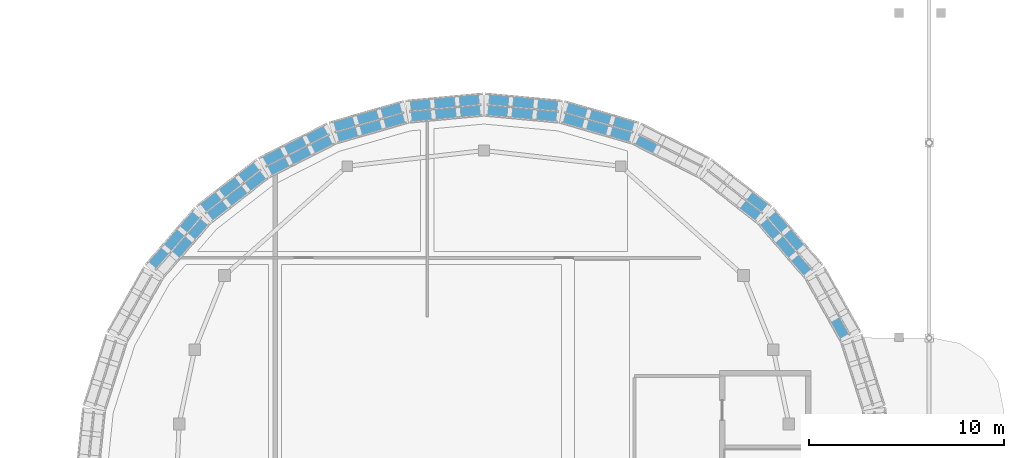
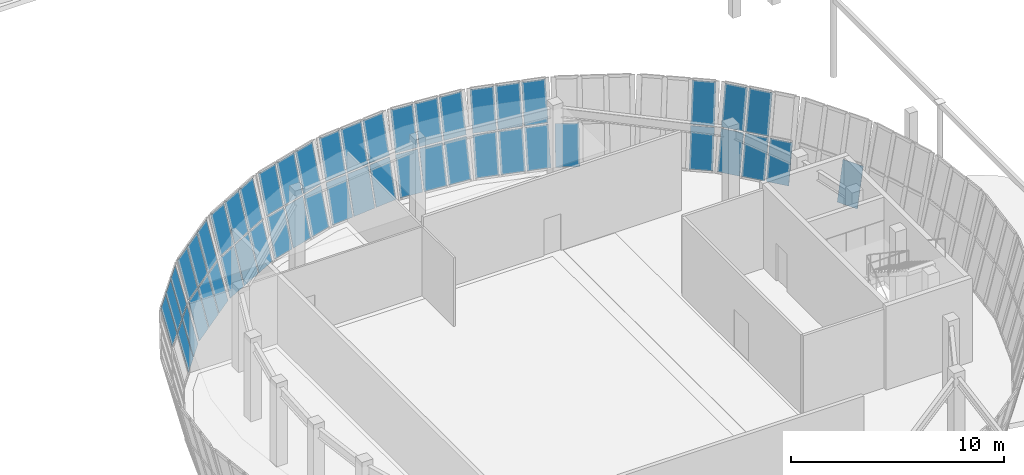
# One storey, part 69 of 120: 50 plates, 11 elements without a shape of their own.
"""IFC4 building model written with IfcOpenShell, lengths in metres."""

from ifc_helpers import new_model, si_unit, direction, frame, origin, place, context, subcontext, project, spatial, polyline, outline, extrude, material, layer, layer_set, type_object, element, aggregate, save


model = new_model("IFC4")

# Units and contexts
model_context = context("Model", 3, precision=1e-05, world=origin(), true_north=direction((0.0, 1.0)))
body_context = subcontext(model_context, "Body", "Model", "MODEL_VIEW")
ifc_project = project(units=[si_unit("LENGTHUNIT", "METRE"), si_unit("AREAUNIT", "SQUARE_METRE"), si_unit("VOLUMEUNIT", "CUBIC_METRE"), si_unit("PLANEANGLEUNIT", "RADIAN"), si_unit("MASSUNIT", "GRAM", prefix="KILO")], contexts=[model_context])

# Site, building, storey
site_placement = place(None, origin())
site = spatial("IfcSite", under=ifc_project, at=site_placement, CompositionType="ELEMENT")
building_placement = place(site_placement, origin())
building = spatial("IfcBuilding", under=site, at=building_placement, Name="Corveleigh Park Community Centre", CompositionType="ELEMENT")
storey_placement = place(building_placement, origin())
storey = spatial("IfcBuildingStorey", under=building, at=storey_placement, Name="L00", CompositionType="ELEMENT", Elevation=0.0)

# Curtain wall, plate
ifc_material_1 = material(Name="Anodised aluminium 6063-T6", Category="aluminium")
curtain_wall_type = type_object("IfcCurtainWallType", Name="CW-SYS-V1-L00", PredefinedType="NOTDEFINED", material=ifc_material_1)
curtain_wall_1_placement = place(storey_placement, origin())
curtain_wall_1 = element("IfcCurtainWall", 1, at=curtain_wall_1_placement, inside=storey, type_object=curtain_wall_type, Name="Main Hall Flared Drum CW 3", PredefinedType="NOTDEFINED")
ifc_material_2 = material(Name="Low-E double glazing", Category="glass")
ifc_layer = layer(ifc_material_2, 0.028076171875, Name="Low-E double glazing", Category="glass")
ifc_layer_set = layer_set([ifc_layer], Name="Low-E double glazing")
plate_type = type_object("IfcPlateType", Name="CWP-GLZ-28", PredefinedType="CURTAIN_PANEL", material=ifc_layer_set)
plate_1_placement = place(storey_placement, frame((49.257080078125, 34.89599609375, 0.074951171875), z_axis=(-0.845552752123, -0.475951416141, 0.241890042892), x_axis=(-0.490520762657, 0.871429504459, -1.2708763e-05)))
plate_1 = element("IfcPlate", 2, at=plate_1_placement, type_object=plate_type, Name="CW01 panel 1.1", PredefinedType="CURTAIN_PANEL", context=body_context, shape_type="SweptSolid", body=[
    extrude(outline(polyline([(0.0, 0.0), (1.1058274874809009, 1.3877787807814457e-17), (1.1058810137211947, -2.202882765517729), (-0.00015922510356829381, -2.2028537950992115), (0.0, 0.0)])), origin(), (0.0, 0.0, -1.0), 0.028076171875),
])
aggregate(curtain_wall_1, [plate_1])

# Curtain wall, plates
curtain_wall_2_placement = place(storey_placement, origin())
curtain_wall_2 = element("IfcCurtainWall", 3, at=curtain_wall_2_placement, inside=storey, type_object=curtain_wall_type, Name="Main Hall Flared Drum CW 4", PredefinedType="NOTDEFINED")
plate_2_placement = place(storey_placement, frame((47.40771484375, 38.1376953125, 0.074951171875), z_axis=(-0.734100043331, -0.634482020993, 0.241929104115), x_axis=(-0.653900207436, 0.756580806925, 3.6162699e-05)))
plate_2 = element("IfcPlate", 4, at=plate_2_placement, type_object=plate_type, Name="CW01 panel 1.1", PredefinedType="CURTAIN_PANEL", context=body_context, shape_type="SweptSolid", body=[
    extrude(outline(polyline([(0.0, 0.0), (1.1176560634874142, 0.0), (1.1177459495801532, -2.20284873361391), (0.00011495459847341069, -2.2029320424043686), (0.0, 0.0)])), origin(), (0.0, 0.0, -1.0), 0.028076171875),
])
plate_3_placement = place(storey_placement, frame((46.624755859375, 39.0439453125, 0.074951171875), z_axis=(-0.734037070033, -0.634582925613, 0.241855515417), x_axis=(-0.65399865839, 0.756495707076, 0.0)))
plate_3 = element("IfcPlate", 5, at=plate_3_placement, type_object=plate_type, Name="CW01 panel 2.1", PredefinedType="CURTAIN_PANEL", context=body_context, shape_type="SweptSolid", body=[
    extrude(outline(polyline([(0.0, 0.0), (1.1576171730830573, 2.7755575615628914e-17), (1.1575604321154302, -2.202848741052028), (-5.674096762708725e-05, -2.202848741052028), (0.0, 0.0)])), origin(), (0.0, 0.0, -1.0), 0.028076171875),
])
plate_4_placement = place(storey_placement, frame((47.0419921875, 39.404541015625, 2.28759765625), z_axis=(-0.734012852593, -0.634561989376, 0.241983912415), x_axis=(-0.65399865839, 0.756495707076, 0.0)))
plate_4 = element("IfcPlate", 6, at=plate_4_placement, type_object=plate_type, Name="CW01 panel 2.2", PredefinedType="CURTAIN_PANEL", context=body_context, shape_type="SweptSolid", body=[
    extrude(outline(polyline([(0.0, 0.0), (1.1576171730830573, 2.7755575615628914e-17), (1.157625977715965, -2.2152507347332833), (8.80463290764634e-06, -2.2152507347332833), (0.0, 0.0)])), origin(), (0.0, 0.0, -1.0), 0.028076171875),
])
plate_5_placement = place(storey_placement, frame((45.8154296875, 39.980224609375, 0.074951171875), z_axis=(-0.734055059028, -0.634549111226, 0.241889635492), x_axis=(-0.6539727034, 0.756518144479, -1.6764635e-05)))
plate_5 = element("IfcPlate", 7, at=plate_5_placement, type_object=plate_type, Name="CW01 panel 3.1", PredefinedType="CURTAIN_PANEL", context=body_context, shape_type="SweptSolid", body=[
    extrude(outline(polyline([(0.0, 0.0), (1.1176310078886633, -2.7755575615628914e-17), (1.1177414089188826, -2.2028873625872247), (-7.429578239769385e-05, -2.2028487391680325), (0.0, 0.0)])), origin(), (0.0, 0.0, -1.0), 0.028076171875),
])
plate_6_placement = place(storey_placement, frame((46.232666015625, 40.3408203125, 2.28759765625), z_axis=(-0.734043675867, -0.634539271127, 0.241949985157), x_axis=(-0.653966378888, 0.756523611663, 1.6765787e-05)))
plate_6 = element("IfcPlate", 8, at=plate_6_placement, type_object=plate_type, Name="CW01 panel 3.2", PredefinedType="CURTAIN_PANEL", context=body_context, shape_type="SweptSolid", body=[
    extrude(outline(polyline([(0.0, 0.0), (1.1178157053686328, 0.0), (1.11769872133432, -2.215212105689578), (6.771411306564105e-05, -2.215250732361659), (0.0, 0.0)])), origin(), (0.0, 0.0, -1.0), 0.028076171875),
])
aggregate(curtain_wall_2, [plate_2, plate_3, plate_4, plate_5, plate_6])

curtain_wall_3_placement = place(storey_placement, origin())
curtain_wall_3 = element("IfcCurtainWall", 9, at=curtain_wall_3_placement, inside=storey, type_object=curtain_wall_type, Name="Main Hall Flared Drum CW 5", PredefinedType="NOTDEFINED")
plate_7_placement = place(storey_placement, frame((44.928466796875, 40.973876953125, 0.074951171875), z_axis=(-0.596481714808, -0.76528939112, 0.241953945492), x_axis=(-0.788724172933, 0.614747248088, 0.0)))
plate_7 = element("IfcPlate", 10, at=plate_7_placement, type_object=plate_type, Name="CW01 panel 1.1", PredefinedType="CURTAIN_PANEL", context=body_context, shape_type="SweptSolid", body=[
    extrude(outline(polyline([(0.0, 0.0), (1.1310542701294881, 0.0), (1.131085256733804, -2.20290445324827), (3.098660431552396e-05, -2.20290445324827), (0.0, 0.0)])), origin(), (0.0, 0.0, -1.0), 0.028076171875),
])
plate_8_placement = place(storey_placement, frame((45.267578125, 41.408935546875, 2.28759765625), z_axis=(-0.596528054005, -0.765244117032, 0.241982896363), x_axis=(-0.788685769515, 0.614796516517, -1.5579093e-05)))
plate_8 = element("IfcPlate", 11, at=plate_8_placement, type_object=plate_type, Name="CW01 panel 1.2", PredefinedType="CURTAIN_PANEL", context=body_context, shape_type="SweptSolid", body=[
    extrude(outline(polyline([(0.0, 0.0), (1.13105426778543, 2.7755575615628914e-17), (1.1310456299512368, -2.215268316865356), (0.000183912402504801, -2.2152319989161544), (0.0, 0.0)])), origin(), (0.0, 0.0, -1.0), 0.028076171875),
])
aggregate(curtain_wall_3, [plate_7, plate_8])

# Curtain wall, plate
curtain_wall_4_placement = place(storey_placement, origin())
curtain_wall_4 = element("IfcCurtainWall", 12, at=curtain_wall_4_placement, inside=storey, type_object=curtain_wall_type, Name="Main Hall Flared Drum CW 6", PredefinedType="NOTDEFINED")
plate_9_placement = place(storey_placement, frame((39.6982421875, 44.421142578125, 0.074951171875), z_axis=(-0.439142550322, -0.865232031207, 0.241924270527), x_axis=(-0.891722989883, 0.452581604592, -2.2349678e-05)))
plate_9 = element("IfcPlate", 13, at=plate_9_placement, type_object=plate_type, Name="CW01 panel 3.1", PredefinedType="CURTAIN_PANEL", context=body_context, shape_type="SweptSolid", body=[
    extrude(outline(polyline([(0.0, 0.0), (1.1432752992873028, -2.7755575615628914e-17), (1.14326514272192, -2.2029139885881235), (-0.00012065012119121229, -2.202861317873149), (0.0, 0.0)])), origin(), (0.0, 0.0, -1.0), 0.028076171875),
])
aggregate(curtain_wall_4, [plate_9])

# Curtain wall, plates
curtain_wall_5_placement = place(storey_placement, origin())
curtain_wall_5 = element("IfcCurtainWall", 14, at=curtain_wall_5_placement, inside=storey, type_object=curtain_wall_type, Name="Main Hall Flared Drum CW 7", PredefinedType="NOTDEFINED")
plate_10_placement = place(storey_placement, frame((38.481201171875, 45.01611328125, 0.074951171875), z_axis=(-0.268528703242, -0.932394187512, 0.241936798831), x_axis=(-0.960940187476, 0.276756130053, 2.390948e-05)))
plate_10 = element("IfcPlate", 15, at=plate_10_placement, type_object=plate_type, Name="CW01 panel 1.1", PredefinedType="CURTAIN_PANEL", context=body_context, shape_type="SweptSolid", body=[
    extrude(outline(polyline([(0.0, 0.0), (1.1517054139838765, 0.0), (1.1515096422057896, -2.2028663718777364), (-0.00012820436352325242, -2.202923129781165), (0.0, 0.0)])), origin(), (0.0, 0.0, -1.0), 0.028076171875),
])
plate_11_placement = place(storey_placement, frame((38.634033203125, 45.546142578125, 2.28759765625), z_axis=(-0.268529655995, -0.932397495691, 0.241922991634), x_axis=(-0.960940187664, 0.276756129399, 2.3908201e-05)))
plate_11 = element("IfcPlate", 16, at=plate_11_placement, type_object=plate_type, Name="CW01 panel 1.2", PredefinedType="CURTAIN_PANEL", context=body_context, shape_type="SweptSolid", body=[
    extrude(outline(polyline([(0.0, 0.0), (1.1517054139838365, 0.0), (1.1518515250159695, -2.215187670726981), (0.00021367844653693094, -2.2152444253912678), (0.0, 0.0)])), origin(), (0.0, 0.0, -1.0), 0.028076171875),
])
plate_12_placement = place(storey_placement, frame((37.2978515625, 45.35693359375, 0.074951171875), z_axis=(-0.268621753658, -0.932374877108, 0.241907920496), x_axis=(-0.960913210746, 0.276849780351, 2.3100309e-05)))
plate_12 = element("IfcPlate", 17, at=plate_12_placement, type_object=plate_type, Name="CW01 panel 2.1", PredefinedType="CURTAIN_PANEL", context=body_context, shape_type="SweptSolid", body=[
    extrude(outline(polyline([(0.0, 0.0), (1.191881048496956, 1.3877787807814457e-17), (1.1919700751844384, -2.2028500222973926), (0.0001566169658885775, -2.202906771885123), (0.0, 0.0)])), origin(), (0.0, 0.0, -1.0), 0.028076171875),
])
plate_13_placement = place(storey_placement, frame((37.450439453125, 45.88720703125, 2.28759765625), z_axis=(-0.268557828845, -0.932398590818, 0.24188749535), x_axis=(-0.960933742938, 0.276778506461, 6.654854e-06)))
plate_13 = element("IfcPlate", 18, at=plate_13_placement, type_object=plate_type, Name="CW01 panel 2.2", PredefinedType="CURTAIN_PANEL", context=body_context, shape_type="SweptSolid", body=[
    extrude(outline(polyline([(0.0, 0.0), (1.1915788614766276, 2.7755575615628914e-17), (1.191700364770754, -2.215187674894847), (-0.00011309967045835998, -2.2152040214438387), (0.0, 0.0)])), origin(), (0.0, 0.0, -1.0), 0.028076171875),
])
plate_14_placement = place(storey_placement, frame((36.07568359375, 45.708984375, 0.074951171875), z_axis=(-0.268622200082, -0.932361740407, 0.241958051425), x_axis=(-0.96091364535, 0.27684827285, 0.0)))
plate_14 = element("IfcPlate", 19, at=plate_14_placement, type_object=plate_type, Name="CW01 panel 3.1", PredefinedType="CURTAIN_PANEL", context=body_context, shape_type="SweptSolid", body=[
    extrude(outline(polyline([(0.0, 0.0), (1.1517054196079088, 0.0), (1.1518118245510236, -2.20290677782291), (0.00010640494311461857, -2.20290677782291), (0.0, 0.0)])), origin(), (0.0, 0.0, -1.0), 0.028076171875),
])
plate_15_placement = place(storey_placement, frame((36.228515625, 46.2392578125, 2.28759765625), z_axis=(-0.268529655995, -0.932397495691, 0.241922991634), x_axis=(-0.960943487186, 0.27674467269, -2.3909603e-05)))
plate_15 = element("IfcPlate", 20, at=plate_15_placement, type_object=plate_type, Name="CW01 panel 3.2", PredefinedType="CURTAIN_PANEL", context=body_context, shape_type="SweptSolid", body=[
    extrude(outline(polyline([(0.0, 0.0), (1.1516378479679155, -1.3877787807814457e-17), (1.1517423554157762, -2.215244433231638), (3.694283050473173e-05, -2.215187675237583), (0.0, 0.0)])), origin(), (0.0, 0.0, -1.0), 0.028076171875),
])
aggregate(curtain_wall_5, [plate_10, plate_11, plate_12, plate_13, plate_14, plate_15])

curtain_wall_6_placement = place(storey_placement, origin())
curtain_wall_6 = element("IfcCurtainWall", 21, at=curtain_wall_6_placement, inside=storey, type_object=curtain_wall_type, Name="Main Hall Flared Drum CW 8", PredefinedType="NOTDEFINED")
plate_16_placement = place(storey_placement, frame((34.760009765625, 46.067138671875, 0.074951171875), z_axis=(-0.090431332401, -0.966068809212, 0.241936417243), x_axis=(-0.995647916462, 0.093194559632, -2.236306e-05)))
plate_16 = element("IfcPlate", 22, at=plate_16_placement, type_object=plate_type, Name="CW01 panel 1.1", PredefinedType="CURTAIN_PANEL", context=body_context, shape_type="SweptSolid", body=[
    extrude(outline(polyline([(0.0, 0.0), (1.1563902282304583, -3.469446951953614e-18), (1.15646167769533, -2.202921184590238), (-0.00019438121776856076, -2.2028678740535055), (0.0, 0.0)])), origin(), (0.0, 0.0, -1.0), 0.028076171875),
])
plate_17_placement = place(storey_placement, frame((34.8115234375, 46.6162109375, 2.28759765625), z_axis=(-0.090522454877, -0.966050723197, 0.24197455522), x_axis=(-0.99563851597, 0.093294938321, 0.0)))
plate_17 = element("IfcPlate", 23, at=plate_17_placement, type_object=plate_type, Name="CW01 panel 1.2", PredefinedType="CURTAIN_PANEL", context=body_context, shape_type="SweptSolid", body=[
    extrude(outline(polyline([(0.0, 0.0), (1.156656065080595, -3.469446951953614e-18), (1.1566162309485637, -2.215245406899151), (-3.9834132031436875e-05, -2.215245406899151), (0.0, 0.0)])), origin(), (0.0, 0.0, -1.0), 0.028076171875),
])
plate_18_placement = place(storey_placement, frame((33.52880859375, 46.182373046875, 0.074951171875), z_axis=(-0.090480029975, -0.96607725659, 0.241884473406), x_axis=(-0.995642762382, 0.093249609714, 2.233074e-06)))
plate_18 = element("IfcPlate", 24, at=plate_18_placement, type_object=plate_type, Name="CW01 panel 2.1", PredefinedType="CURTAIN_PANEL", context=body_context, shape_type="SweptSolid", body=[
    extrude(outline(polyline([(0.0, 0.0), (1.1963760032470583, 0.0), (1.1965067336440707, -2.202862375057404), (-0.00011234644927188305, -2.2028678823303687), (0.0, 0.0)])), origin(), (0.0, 0.0, -1.0), 0.028076171875),
])
plate_19_placement = place(storey_placement, frame((33.580322265625, 46.731689453125, 2.28759765625), z_axis=(-0.090471147532, -0.966081400342, 0.241871245456), x_axis=(-0.995643701289, 0.093239584321, 0.0)))
plate_19 = element("IfcPlate", 25, at=plate_19_placement, type_object=plate_type, Name="CW01 panel 2.2", PredefinedType="CURTAIN_PANEL", context=body_context, shape_type="SweptSolid", body=[
    extrude(outline(polyline([(0.0, 0.0), (1.1966190801569887, 0.0), (1.1965266809817694, -2.215186600251686), (-9.239917521943641e-05, -2.215186600251686), (0.0, 0.0)])), origin(), (0.0, 0.0, -1.0), 0.028076171875),
])
plate_20_placement = place(storey_placement, frame((32.2578125, 46.30126953125, 0.074951171875), z_axis=(-0.090431332401, -0.966068809212, 0.241936417243), x_axis=(-0.995646769626, 0.09320680986, 2.6981613e-05)))
plate_20 = element("IfcPlate", 26, at=plate_20_placement, type_object=plate_type, Name="CW01 panel 3.1", PredefinedType="CURTAIN_PANEL", context=body_context, shape_type="SweptSolid", body=[
    extrude(outline(polyline([(0.0, 0.0), (1.1564129823038976, 6.938893903907228e-18), (1.156573706818253, -2.2028623693256555), (-5.9597741447117745e-05, -2.202926689872539), (0.0, 0.0)])), origin(), (0.0, 0.0, -1.0), 0.028076171875),
])
plate_21_placement = place(storey_placement, frame((32.309326171875, 46.8505859375, 2.28759765625), z_axis=(-0.090422144081, -0.966073054653, 0.241922898737), x_axis=(-0.995647740289, 0.093196441181, 2.4665661e-05)))
plate_21 = element("IfcPlate", 27, at=plate_21_placement, type_object=plate_type, Name="CW01 panel 3.2", PredefinedType="CURTAIN_PANEL", context=body_context, shape_type="SweptSolid", body=[
    extrude(outline(polyline([(0.0, 0.0), (1.156656059068777, 0.0), (1.1565934598755052, -2.215186598155189), (-3.984615587430502e-05, -2.215245403759957), (0.0, 0.0)])), origin(), (0.0, 0.0, -1.0), 0.028076171875),
])
aggregate(curtain_wall_6, [plate_16, plate_17, plate_18, plate_19, plate_20, plate_21])

curtain_wall_7_placement = place(storey_placement, origin())
curtain_wall_7 = element("IfcCurtainWall", 28, at=curtain_wall_7_placement, inside=storey, type_object=curtain_wall_type, Name="Main Hall Flared Drum CW 9", PredefinedType="NOTDEFINED")
plate_22_placement = place(storey_placement, frame((30.8935546875, 46.4091796875, 0.074951171875), z_axis=(0.090431332401, -0.966068809212, 0.241936417243), x_axis=(-0.995646769626, -0.09320680986, -2.6981613e-05)))
plate_22 = element("IfcPlate", 29, at=plate_22_placement, type_object=plate_type, Name="CW01 panel 1.1", PredefinedType="CURTAIN_PANEL", context=body_context, shape_type="SweptSolid", body=[
    extrude(outline(polyline([(0.0, 0.0), (1.1564129823038976, -6.938893903907228e-18), (1.1564725800453448, -2.2029266898725393), (-0.00016072451435514553, -2.2028623693256555), (0.0, 0.0)])), origin(), (0.0, 0.0, -1.0), 0.028076171875),
])
plate_23_placement = place(storey_placement, frame((30.84228515625, 46.95849609375, 2.28759765625), z_axis=(0.090422144081, -0.966073054653, 0.241922898737), x_axis=(-0.995647740289, -0.093196441181, -2.4665661e-05)))
plate_23 = element("IfcPlate", 30, at=plate_23_placement, type_object=plate_type, Name="CW01 panel 1.2", PredefinedType="CURTAIN_PANEL", context=body_context, shape_type="SweptSolid", body=[
    extrude(outline(polyline([(0.0, 0.0), (1.156656059068777, 0.0), (1.1566959052246515, -2.215245403759957), (6.259919327200142e-05, -2.215186598155189), (0.0, 0.0)])), origin(), (0.0, 0.0, -1.0), 0.028076171875),
])
plate_24_placement = place(storey_placement, frame((29.662353515625, 46.2939453125, 0.074951171875), z_axis=(0.090480029975, -0.96607725659, 0.241884473406), x_axis=(-0.995642762382, -0.093249609714, -2.233074e-06)))
plate_24 = element("IfcPlate", 31, at=plate_24_placement, type_object=plate_type, Name="CW01 panel 2.1", PredefinedType="CURTAIN_PANEL", context=body_context, shape_type="SweptSolid", body=[
    extrude(outline(polyline([(0.0, 0.0), (1.1963760032470583, 0.0), (1.1964883496963301, -2.2028678823303687), (-0.0001307303970127375, -2.202862375057404), (0.0, 0.0)])), origin(), (0.0, 0.0, -1.0), 0.028076171875),
])
plate_25_placement = place(storey_placement, frame((29.611083984375, 46.84326171875, 2.28759765625), z_axis=(0.090471147532, -0.966081400342, 0.241871245456), x_axis=(-0.995643701289, -0.093239584321, 0.0)))
plate_25 = element("IfcPlate", 32, at=plate_25_placement, type_object=plate_type, Name="CW01 panel 2.2", PredefinedType="CURTAIN_PANEL", context=body_context, shape_type="SweptSolid", body=[
    extrude(outline(polyline([(0.0, 0.0), (1.1966190801569887, 0.0), (1.1967114793322082, -2.215186600251686), (9.239917521943641e-05, -2.215186600251686), (0.0, 0.0)])), origin(), (0.0, 0.0, -1.0), 0.028076171875),
])
plate_26_placement = place(storey_placement, frame((28.391357421875, 46.1748046875, 0.074951171875), z_axis=(0.090431332401, -0.966068809212, 0.241936417243), x_axis=(-0.995647916462, -0.093194559632, 2.236306e-05)))
plate_26 = element("IfcPlate", 33, at=plate_26_placement, type_object=plate_type, Name="CW01 panel 3.1", PredefinedType="CURTAIN_PANEL", context=body_context, shape_type="SweptSolid", body=[
    extrude(outline(polyline([(0.0, 0.0), (1.1563902282304583, 3.469446951953614e-18), (1.1565846094482273, -2.2028678740535055), (-7.144946487157278e-05, -2.202921184590238), (0.0, 0.0)])), origin(), (0.0, 0.0, -1.0), 0.028076171875),
])
plate_27_placement = place(storey_placement, frame((28.340087890625, 46.72412109375, 2.28759765625), z_axis=(0.090522454877, -0.966050723197, 0.24197455522), x_axis=(-0.99563851597, -0.093294938321, 0.0)))
plate_27 = element("IfcPlate", 34, at=plate_27_placement, type_object=plate_type, Name="CW01 panel 3.2", PredefinedType="CURTAIN_PANEL", context=body_context, shape_type="SweptSolid", body=[
    extrude(outline(polyline([(0.0, 0.0), (1.156656065080595, 3.469446951953614e-18), (1.1566958992126266, -2.215245406899151), (3.9834132031436875e-05, -2.215245406899151), (0.0, 0.0)])), origin(), (0.0, 0.0, -1.0), 0.028076171875),
])
aggregate(curtain_wall_7, [plate_22, plate_23, plate_24, plate_25, plate_26, plate_27])

curtain_wall_8_placement = place(storey_placement, origin())
curtain_wall_8 = element("IfcCurtainWall", 35, at=curtain_wall_8_placement, inside=storey, type_object=curtain_wall_type, Name="Main Hall Flared Drum CW 10", PredefinedType="NOTDEFINED")
plate_28_placement = place(storey_placement, frame((27.031005859375, 46.02783203125, 0.074951171875), z_axis=(0.268622200082, -0.932361740407, 0.241958051425), x_axis=(-0.96091364535, -0.27684827285, 0.0)))
plate_28 = element("IfcPlate", 36, at=plate_28_placement, type_object=plate_type, Name="CW01 panel 1.1", PredefinedType="CURTAIN_PANEL", context=body_context, shape_type="SweptSolid", body=[
    extrude(outline(polyline([(0.0, 0.0), (1.1517054196079088, 0.0), (1.1515990146647943, -2.20290677782291), (-0.00010640494311461857, -2.20290677782291), (0.0, 0.0)])), origin(), (0.0, 0.0, -1.0), 0.028076171875),
])
plate_29_placement = place(storey_placement, frame((26.878173828125, 46.557861328125, 2.28759765625), z_axis=(0.268529655995, -0.932397495691, 0.241922991634), x_axis=(-0.960943487186, -0.27674467269, 2.3909603e-05)))
plate_29 = element("IfcPlate", 37, at=plate_29_placement, type_object=plate_type, Name="CW01 panel 1.2", PredefinedType="CURTAIN_PANEL", context=body_context, shape_type="SweptSolid", body=[
    extrude(outline(polyline([(0.0, 0.0), (1.1516378479679155, 1.3877787807814457e-17), (1.151600905137411, -2.215187675237583), (-0.00010450744786066806, -2.215244433231638), (0.0, 0.0)])), origin(), (0.0, 0.0, -1.0), 0.028076171875),
])
plate_30_placement = place(storey_placement, frame((25.847412109375, 45.68701171875, 0.074951171875), z_axis=(0.268621753658, -0.932374877108, 0.241907920496), x_axis=(-0.960913210746, -0.276849780351, -2.3100309e-05)))
plate_30 = element("IfcPlate", 38, at=plate_30_placement, type_object=plate_type, Name="CW01 panel 2.1", PredefinedType="CURTAIN_PANEL", context=body_context, shape_type="SweptSolid", body=[
    extrude(outline(polyline([(0.0, 0.0), (1.191881048496956, -1.3877787807814457e-17), (1.191724431531067, -2.202906771885123), (-8.902668748263405e-05, -2.2028500222973926), (0.0, 0.0)])), origin(), (0.0, 0.0, -1.0), 0.028076171875),
])
plate_31_placement = place(storey_placement, frame((25.694580078125, 46.217041015625, 2.28759765625), z_axis=(0.268557828845, -0.932398590818, 0.24188749535), x_axis=(-0.960933742938, -0.276778506461, -6.654854e-06)))
plate_31 = element("IfcPlate", 39, at=plate_31_placement, type_object=plate_type, Name="CW01 panel 2.2", PredefinedType="CURTAIN_PANEL", context=body_context, shape_type="SweptSolid", body=[
    extrude(outline(polyline([(0.0, 0.0), (1.1915788614766276, -2.7755575615628914e-17), (1.191691961147086, -2.2152040214438387), (-0.00012150329412613605, -2.215187674894847), (0.0, 0.0)])), origin(), (0.0, 0.0, -1.0), 0.028076171875),
])
plate_32_placement = place(storey_placement, frame((24.62548828125, 45.3349609375, 0.074951171875), z_axis=(0.268528703242, -0.932394187512, 0.241936798831), x_axis=(-0.960940187476, -0.276756130053, -2.390948e-05)))
plate_32 = element("IfcPlate", 40, at=plate_32_placement, type_object=plate_type, Name="CW01 panel 3.1", PredefinedType="CURTAIN_PANEL", context=body_context, shape_type="SweptSolid", body=[
    extrude(outline(polyline([(0.0, 0.0), (1.1517054139838765, 0.0), (1.1518336183473996, -2.202923129781165), (0.00019577177808687644, -2.2028663718777364), (0.0, 0.0)])), origin(), (0.0, 0.0, -1.0), 0.028076171875),
])
plate_33_placement = place(storey_placement, frame((24.47265625, 45.864990234375, 2.28759765625), z_axis=(0.268529655995, -0.932397495691, 0.241922991634), x_axis=(-0.960940187664, -0.276756129399, -2.3908201e-05)))
plate_33 = element("IfcPlate", 41, at=plate_33_placement, type_object=plate_type, Name="CW01 panel 3.2", PredefinedType="CURTAIN_PANEL", context=body_context, shape_type="SweptSolid", body=[
    extrude(outline(polyline([(0.0, 0.0), (1.1517054139838365, 0.0), (1.1514917355372996, -2.2152444253912678), (-0.00014611103213292922, -2.215187670726981), (0.0, 0.0)])), origin(), (0.0, 0.0, -1.0), 0.028076171875),
])
aggregate(curtain_wall_8, [plate_28, plate_29, plate_30, plate_31, plate_32, plate_33])

curtain_wall_9_placement = place(storey_placement, origin())
curtain_wall_9 = element("IfcCurtainWall", 42, at=curtain_wall_9_placement, inside=storey, type_object=curtain_wall_type, Name="Main Hall Flared Drum CW 11", PredefinedType="NOTDEFINED")
plate_34_placement = place(storey_placement, frame((23.3212890625, 44.9384765625, 0.074951171875), z_axis=(0.439142550322, -0.865232031207, 0.241924270527), x_axis=(-0.891722989883, -0.452581604592, 2.2349678e-05)))
plate_34 = element("IfcPlate", 43, at=plate_34_placement, type_object=plate_type, Name="CW01 panel 1.1", PredefinedType="CURTAIN_PANEL", context=body_context, shape_type="SweptSolid", body=[
    extrude(outline(polyline([(0.0, 0.0), (1.1432752992873028, 2.7755575615628914e-17), (1.143395949408494, -2.202861317873149), (1.0156565382601653e-05, -2.2029139885881235), (0.0, 0.0)])), origin(), (0.0, 0.0, -1.0), 0.028076171875),
])
plate_35_placement = place(storey_placement, frame((23.071533203125, 45.430419921875, 2.28759765625), z_axis=(0.439145416311, -0.865234597971, 0.241909887783), x_axis=(-0.89171981789, -0.452587854877, 0.0)))
plate_35 = element("IfcPlate", 44, at=plate_35_placement, type_object=plate_type, Name="CW01 panel 1.2", PredefinedType="CURTAIN_PANEL", context=body_context, shape_type="SweptSolid", body=[
    extrude(outline(polyline([(0.0, 0.0), (1.143057593792787, 0.0), (1.1432175222570384, -2.2152085929973557), (0.0001599284642513632, -2.2152085929973557), (0.0, 0.0)])), origin(), (0.0, 0.0, -1.0), 0.028076171875),
])
plate_36_placement = place(storey_placement, frame((22.23046875, 44.385009765625, 0.074951171875), z_axis=(0.439207231002, -0.865199199981, 0.241924270359), x_axis=(-0.891684194179, -0.452658035812, -2.1595997e-05)))
plate_36 = element("IfcPlate", 45, at=plate_36_placement, type_object=plate_type, Name="CW01 panel 2.1", PredefinedType="CURTAIN_PANEL", context=body_context, shape_type="SweptSolid", body=[
    extrude(outline(polyline([(0.0, 0.0), (1.1831296712935693, 0.0), (1.1830002072236268, -2.202913984807463), (-1.8951854168396985e-05, -2.202861321095805), (0.0, 0.0)])), origin(), (0.0, 0.0, -1.0), 0.028076171875),
])
plate_37_placement = place(storey_placement, frame((21.98095703125, 44.876708984375, 2.28759765625), z_axis=(0.439081052362, -0.865247956125, 0.241978932714), x_axis=(-0.891750644731, -0.452527112449, 1.0961263e-05)))
plate_37 = element("IfcPlate", 46, at=plate_37_placement, type_object=plate_type, Name="CW01 panel 2.2", PredefinedType="CURTAIN_PANEL", context=body_context, shape_type="SweptSolid", body=[
    extrude(outline(polyline([(0.0, 0.0), (1.1832368760079799, 0.0), (1.183128674593076, -2.2152345336873904), (0.00010951114484507044, -2.2152612652653896), (0.0, 0.0)])), origin(), (0.0, 0.0, -1.0), 0.028076171875),
])
plate_38_placement = place(storey_placement, frame((21.104248046875, 43.813232421875, 0.074951171875), z_axis=(0.439138543239, -0.86522105617, 0.241970791215), x_axis=(-0.89171981789, -0.452587854877, 0.0)))
plate_38 = element("IfcPlate", 47, at=plate_38_placement, type_object=plate_type, Name="CW01 panel 3.1", PredefinedType="CURTAIN_PANEL", context=body_context, shape_type="SweptSolid", body=[
    extrude(outline(polyline([(0.0, 0.0), (1.143057593792787, 1.3877787807814457e-17), (1.1430162428726203, -2.2029139907554027), (-4.13509201667152e-05, -2.2029139907554027), (0.0, 0.0)])), origin(), (0.0, 0.0, -1.0), 0.028076171875),
])
plate_39_placement = place(storey_placement, frame((20.8544921875, 44.30517578125, 2.28759765625), z_axis=(0.439106249554, -0.86526104059, 0.241886405653), x_axis=(-0.891740410048, -0.452547280357, -1.1342872e-05)))
plate_39 = element("IfcPlate", 48, at=plate_39_placement, type_object=plate_type, Name="CW01 panel 3.2", PredefinedType="CURTAIN_PANEL", context=body_context, shape_type="SweptSolid", body=[
    extrude(outline(polyline([(0.0, 0.0), (1.1430575925360011, 1.3877787807814457e-17), (1.1432175235139999, -2.215208592348667), (-5.777908304825757e-05, -2.2151818650904693), (0.0, 0.0)])), origin(), (0.0, 0.0, -1.0), 0.028076171875),
])
aggregate(curtain_wall_9, [plate_34, plate_35, plate_36, plate_37, plate_38, plate_39])

curtain_wall_10_placement = place(storey_placement, origin())
curtain_wall_10 = element("IfcCurtainWall", 49, at=curtain_wall_10_placement, inside=storey, type_object=curtain_wall_type, Name="Main Hall Flared Drum CW 12", PredefinedType="NOTDEFINED")
plate_40_placement = place(storey_placement, frame((19.905517578125, 43.1826171875, 0.074951171875), z_axis=(0.596481714808, -0.76528939112, 0.241953945492), x_axis=(-0.788724172933, -0.614747248088, 0.0)))
plate_40 = element("IfcPlate", 50, at=plate_40_placement, type_object=plate_type, Name="CW01 panel 1.1", PredefinedType="CURTAIN_PANEL", context=body_context, shape_type="SweptSolid", body=[
    extrude(outline(polyline([(0.0, 0.0), (1.1310542701294881, 0.0), (1.1310232835251726, -2.2029044532482693), (-3.098660431552396e-05, -2.20290445324827), (0.0, 0.0)])), origin(), (0.0, 0.0, -1.0), 0.028076171875),
])
plate_41_placement = place(storey_placement, frame((19.56640625, 43.61767578125, 2.28759765625), z_axis=(0.596413509751, -0.765336247456, 0.241973869904), x_axis=(-0.788773439249, -0.614684033578, -1.9986989e-05)))
plate_41 = element("IfcPlate", 51, at=plate_41_placement, type_object=plate_type, Name="CW01 panel 1.2", PredefinedType="CURTAIN_PANEL", context=body_context, shape_type="SweptSolid", body=[
    extrude(outline(polyline([(0.0, 0.0), (1.1310542662710528, 0.0), (1.1310629165102453, -2.215268316092109), (0.00015871958332784494, -2.215221721697318), (0.0, 0.0)])), origin(), (0.0, 0.0, -1.0), 0.028076171875),
])
plate_42_placement = place(storey_placement, frame((18.9501953125, 42.438232421875, 0.074951171875), z_axis=(0.596482339223, -0.765301912594, 0.241912797461), x_axis=(-0.788725779809, -0.614745186149, -1.929857e-05)))
plate_42 = element("IfcPlate", 52, at=plate_42_placement, type_object=plate_type, Name="CW01 panel 2.1", PredefinedType="CURTAIN_PANEL", context=body_context, shape_type="SweptSolid", body=[
    extrude(outline(polyline([(0.0, 0.0), (1.1710530222090245, 0.0), (1.1709821791843815, -2.202904450346196), (7.924124931903744e-05, -2.2028578704271125), (0.0, 0.0)])), origin(), (0.0, 0.0, -1.0), 0.028076171875),
])
plate_43_placement = place(storey_placement, frame((18.611083984375, 42.873291015625, 2.28759765625), z_axis=(0.596426093901, -0.765359536373, 0.241869168348), x_axis=(-0.788779283732, -0.614676534085, 0.0)))
plate_43 = element("IfcPlate", 53, at=plate_43_placement, type_object=plate_type, Name="CW01 panel 2.2", PredefinedType="CURTAIN_PANEL", context=body_context, shape_type="SweptSolid", body=[
    extrude(outline(polyline([(0.0, 0.0), (1.1709029425883544, 0.0), (1.170917145042962, -2.2151854182126107), (1.4202454607898921e-05, -2.2151854182126107), (0.0, 0.0)])), origin(), (0.0, 0.0, -1.0), 0.028076171875),
])
plate_44_placement = place(storey_placement, frame((17.963623046875, 41.669189453125, 0.074951171875), z_axis=(0.596481714808, -0.76528939112, 0.241953945492), x_axis=(-0.788724172933, -0.614747248088, 0.0)))
plate_44 = element("IfcPlate", 54, at=plate_44_placement, type_object=plate_type, Name="CW01 panel 3.1", PredefinedType="CURTAIN_PANEL", context=body_context, shape_type="SweptSolid", body=[
    extrude(outline(polyline([(0.0, 0.0), (1.1310542701294881, 0.0), (1.1310232835251726, -2.2029044532482693), (-3.098660431552396e-05, -2.20290445324827), (0.0, 0.0)])), origin(), (0.0, 0.0, -1.0), 0.028076171875),
])
plate_45_placement = place(storey_placement, frame((17.62451171875, 42.104248046875, 2.28759765625), z_axis=(0.596528054005, -0.765244117032, 0.241982896363), x_axis=(-0.788685769515, -0.614796516517, 1.5579093e-05)))
plate_45 = element("IfcPlate", 55, at=plate_45_placement, type_object=plate_type, Name="CW01 panel 3.2", PredefinedType="CURTAIN_PANEL", context=body_context, shape_type="SweptSolid", body=[
    extrude(outline(polyline([(0.0, 0.0), (1.13105426778543, -2.7755575615628914e-17), (1.1308703553829251, -2.2152319989161544), (8.637834193262602e-06, -2.2152683168653566), (0.0, 0.0)])), origin(), (0.0, 0.0, -1.0), 0.028076171875),
])
aggregate(curtain_wall_10, [plate_40, plate_41, plate_42, plate_43, plate_44, plate_45])

curtain_wall_11_placement = place(storey_placement, origin())
curtain_wall_11 = element("IfcCurtainWall", 56, at=curtain_wall_11_placement, inside=storey, type_object=curtain_wall_type, Name="Main Hall Flared Drum CW 13", PredefinedType="NOTDEFINED")
plate_46_placement = place(storey_placement, frame((16.91552734375, 40.82568359375, 0.074951171875), z_axis=(0.734055059028, -0.634549111226, 0.241889635492), x_axis=(-0.6539727034, -0.756518144479, 1.6764635e-05)))
plate_46 = element("IfcPlate", 57, at=plate_46_placement, type_object=plate_type, Name="CW01 panel 1.1", PredefinedType="CURTAIN_PANEL", context=body_context, shape_type="SweptSolid", body=[
    extrude(outline(polyline([(0.0, 0.0), (1.1176310078886633, 2.7755575615628914e-17), (1.1177053036710611, -2.2028487391680325), (-0.00011040103021937509, -2.2028873625872247), (0.0, 0.0)])), origin(), (0.0, 0.0, -1.0), 0.028076171875),
])
plate_47_placement = place(storey_placement, frame((16.498291015625, 41.1865234375, 2.28759765625), z_axis=(0.734043675867, -0.634539271127, 0.241949985157), x_axis=(-0.653966378888, -0.756523611663, -1.6765787e-05)))
plate_47 = element("IfcPlate", 58, at=plate_47_placement, type_object=plate_type, Name="CW01 panel 1.2", PredefinedType="CURTAIN_PANEL", context=body_context, shape_type="SweptSolid", body=[
    extrude(outline(polyline([(0.0, 0.0), (1.1178157053686328, 0.0), (1.1177479912555672, -2.215250732361659), (0.00011698403431295142, -2.215212105689578), (0.0, 0.0)])), origin(), (0.0, 0.0, -1.0), 0.028076171875),
])
plate_48_placement = place(storey_placement, frame((16.13232421875, 39.919677734375, 0.074951171875), z_axis=(0.734037070033, -0.634582925613, 0.241855515417), x_axis=(-0.65399865839, -0.756495707076, 0.0)))
plate_48 = element("IfcPlate", 59, at=plate_48_placement, type_object=plate_type, Name="CW01 panel 2.1", PredefinedType="CURTAIN_PANEL", context=body_context, shape_type="SweptSolid", body=[
    extrude(outline(polyline([(0.0, 0.0), (1.1576171730830573, -2.7755575615628914e-17), (1.1576739140506844, -2.202848741052028), (5.674096762708725e-05, -2.202848741052028), (0.0, 0.0)])), origin(), (0.0, 0.0, -1.0), 0.028076171875),
])
plate_49_placement = place(storey_placement, frame((15.715087890625, 40.2802734375, 2.28759765625), z_axis=(0.734012852593, -0.634561989376, 0.241983912415), x_axis=(-0.65399865839, -0.756495707076, 0.0)))
plate_49 = element("IfcPlate", 60, at=plate_49_placement, type_object=plate_type, Name="CW01 panel 2.2", PredefinedType="CURTAIN_PANEL", context=body_context, shape_type="SweptSolid", body=[
    extrude(outline(polyline([(0.0, 0.0), (1.1576171730830573, -2.7755575615628914e-17), (1.1576083684501497, -2.2152507347332833), (-8.80463290764634e-06, -2.2152507347332833), (0.0, 0.0)])), origin(), (0.0, 0.0, -1.0), 0.028076171875),
])
plate_50_placement = place(storey_placement, frame((14.90576171875, 39.343994140625, 2.28759765625), z_axis=(0.734043675867, -0.634539271127, 0.241949985157), x_axis=(-0.653972704978, -0.756518143115, 1.6768558e-05)))
plate_50 = element("IfcPlate", 61, at=plate_50_placement, type_object=plate_type, Name="CW01 panel 3.2", PredefinedType="CURTAIN_PANEL", context=body_context, shape_type="SweptSolid", body=[
    extrude(outline(polyline([(0.0, 0.0), (1.1176310078887464, 2.7755575615628914e-17), (1.1178245523181403, -2.215212100323459), (8.84761710983174e-06, -2.2152507333789075), (0.0, 0.0)])), origin(), (0.0, 0.0, -1.0), 0.028076171875),
])
aggregate(curtain_wall_11, [plate_46, plate_47, plate_48, plate_49, plate_50])

save(model, "model.ifc")
